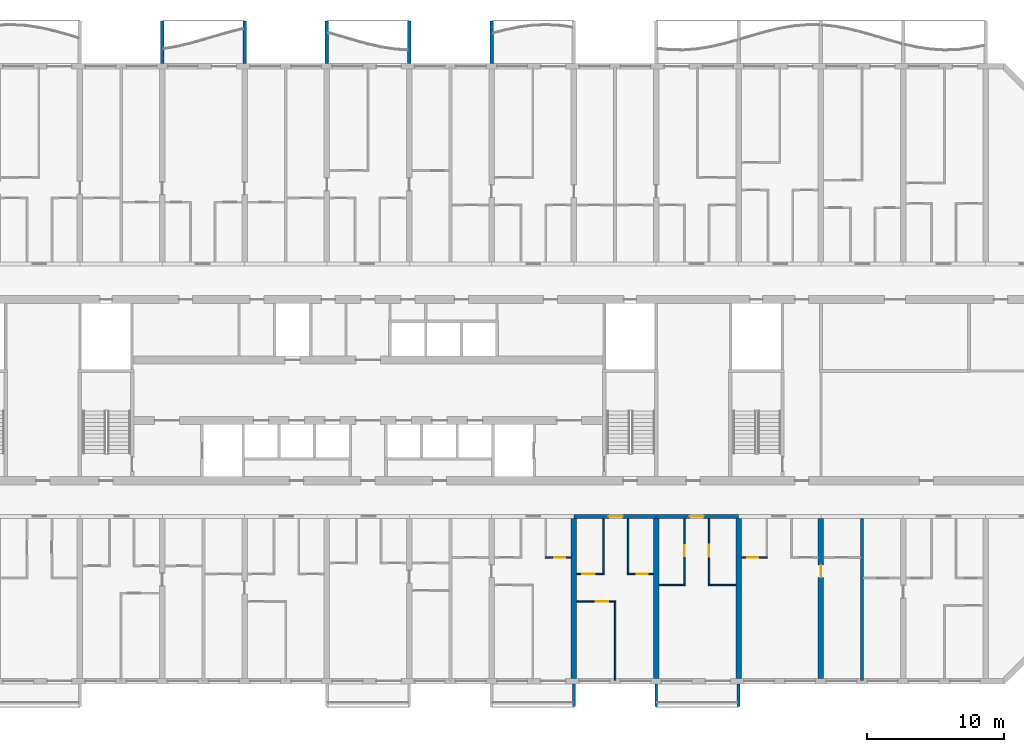
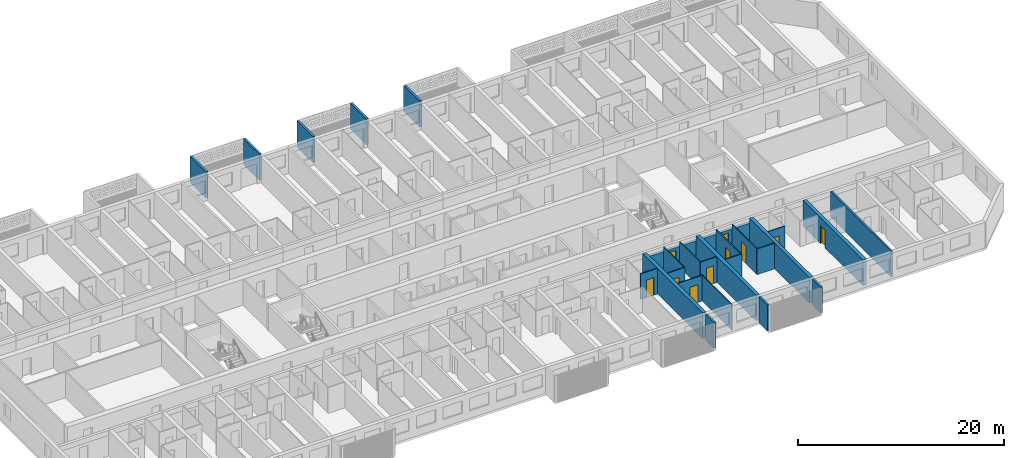
# One storey, part 14 of 40: 27 walls, 10 doors, 10 openings.
"""IFC4 building model written with IfcOpenShell, lengths in metres."""

from ifc_helpers import new_model, si_unit, direction, frame, frame_2d, origin, place, context, subcontext, project, spatial, polyline, rectangle, outline, extrude, source, transform, mapped, material, layer, layer_set, type_object, element, fill, save


model = new_model("IFC4")

# Units and contexts
model_context = context("Model", 3, precision=1e-05, world=origin(), true_north=direction((0.0, 1.0)))
body_context = subcontext(model_context, "Body", "Model", "MODEL_VIEW")
ifc_project = project(units=[si_unit("LENGTHUNIT", "METRE"), si_unit("AREAUNIT", "SQUARE_METRE"), si_unit("VOLUMEUNIT", "CUBIC_METRE"), si_unit("PLANEANGLEUNIT", "RADIAN"), si_unit("MASSUNIT", "GRAM", prefix="KILO")], contexts=[model_context])

# Site, building, storey
site_placement = place(None, origin())
site = spatial("IfcSite", under=ifc_project, at=site_placement, CompositionType="ELEMENT")
building_placement = place(site_placement, origin())
building = spatial("IfcBuilding", under=site, at=building_placement, Name="Poui Terraces", CompositionType="ELEMENT")
storey_placement = place(building_placement, frame((0.0, 0.0, 39.89990234375)))
storey = spatial("IfcBuildingStorey", under=building, at=storey_placement, Name="L10", CompositionType="ELEMENT", Elevation=39.89990234375)

# Wall, opening, door
ifc_material_1 = material(Name="Concrete 80 MPa", Category="concrete")
ifc_layer_1 = layer(ifc_material_1, 0.300048828125)
ifc_layer_set_1 = layer_set([ifc_layer_1], Name="Concrete 80 MPa")
wall_type_1 = type_object("IfcWallType", Name="CORRIDOR WALL 300 80MPa", PredefinedType="SHEAR", material=ifc_layer_set_1)
wall_1_placement = place(storey_placement, frame((66.0, 12.0, 0.0), z_axis=(0.0, 0.0, 1.0), x_axis=(1.0, 0.0, 0.0)))
wall_1 = element("IfcWall", 1, at=wall_1_placement, inside=storey, type_object=wall_type_1, Name="CORRIDOR WALL LINE B BAY 12", PredefinedType="SHEAR", context=body_context, shape_type="SweptSolid", body=[
    extrude(rectangle(XDim=6.0, YDim=0.300048828125, at=frame_2d((3.0, 0.0))), origin(), (0.0, 0.0, 1.0), 2.4501953125),
])
opening_1_placement = place(wall_1_placement, frame((2.550048828125, 0.0, 0.0)))
opening_1 = element("IfcOpeningElement", 2, at=opening_1_placement, cuts=wall_1, Name="Opening FD30S", PredefinedType="OPENING", context=body_context, shape_type="SweptSolid", body=[
    extrude(rectangle(XDim=1.0, YDim=2.10009765625, at=frame_2d((0.5, 1.050048828125))), frame((0.0, 0.16015625, 0.0), z_axis=(0.0, -1.0, 0.0), x_axis=(1.0, 0.0, 0.0)), (0.0, 0.0, 1.0), 0.320068359375),
])
ifc_material_2 = material(Name="Steel fire door", Category="steel")
door_type_1 = type_object("IfcDoorType", Name="FLAT ENTRANCE DOOR 1000 X 2100", OperationType="NOTDEFINED", PredefinedType="DOOR", material=ifc_material_2)
door_1_placement = place(opening_1_placement, frame((1.0, 0.0, 0.0), z_axis=(0.0, 0.0, 1.0), x_axis=(-1.0, 0.0, 0.0)))
door_1 = element("IfcDoor", 3, at=door_1_placement, inside=storey, type_object=door_type_1, Name="FLAT ENTRANCE DOOR 132", OperationType="SINGLE_SWING_LEFT", OverallHeight=2.10009765625, OverallWidth=1.0, PredefinedType="DOOR", context=body_context, shape_type="SweptSolid", body=[
    extrude(rectangle(XDim=1.0, YDim=2.10009765625, at=frame_2d((0.5, 1.050048828125))), frame((0.0, 0.02490234375, 0.0), z_axis=(0.0, -1.0, 0.0), x_axis=(1.0, 0.0, 0.0)), (0.0, 0.0, 1.0), 0.050048828125),
])
fill(opening_1, door_1)

wall_2_placement = place(storey_placement, frame((72.0, 12.0, 0.0), z_axis=(0.0, 0.0, 1.0), x_axis=(1.0, 0.0, 0.0)))
wall_2 = element("IfcWall", 4, at=wall_2_placement, inside=storey, type_object=wall_type_1, Name="CORRIDOR WALL LINE B BAY 13", PredefinedType="SHEAR", context=body_context, shape_type="SweptSolid", body=[
    extrude(rectangle(XDim=6.0, YDim=0.300048828125, at=frame_2d((3.0, 0.0))), origin(), (0.0, 0.0, 1.0), 2.4501953125),
])
opening_2_placement = place(wall_2_placement, frame((2.449951171875, 0.0, 0.0)))
opening_2 = element("IfcOpeningElement", 5, at=opening_2_placement, cuts=wall_2, Name="Opening FD30S", PredefinedType="OPENING", context=body_context, shape_type="SweptSolid", body=[
    extrude(rectangle(XDim=1.0, YDim=2.10009765625, at=frame_2d((0.5, 1.050048828125))), frame((0.0, 0.16015625, 0.0), z_axis=(0.0, -1.0, 0.0), x_axis=(1.0, 0.0, 0.0)), (0.0, 0.0, 1.0), 0.320068359375),
])
door_2_placement = place(opening_2_placement, frame((1.0, 0.0, 0.0), z_axis=(0.0, 0.0, 1.0), x_axis=(-1.0, 0.0, 0.0)))
door_2 = element("IfcDoor", 6, at=door_2_placement, inside=storey, type_object=door_type_1, Name="FLAT ENTRANCE DOOR 135", OperationType="SINGLE_SWING_RIGHT", OverallHeight=2.10009765625, OverallWidth=1.0, PredefinedType="DOOR", context=body_context, shape_type="SweptSolid", body=[
    extrude(rectangle(XDim=1.0, YDim=2.10009765625, at=frame_2d((0.5, 1.050048828125))), frame((0.0, 0.02490234375, 0.0), z_axis=(0.0, -1.0, 0.0), x_axis=(1.0, 0.0, 0.0)), (0.0, 0.0, 1.0), 0.050048828125),
])
fill(opening_2, door_2)

# Walls
ifc_layer_2 = layer(ifc_material_1, 0.39990234375)
ifc_layer_set_2 = layer_set([ifc_layer_2], Name="Concrete 80 MPa")
wall_type_2 = type_object("IfcWallType", Name="CROSS WALL 400 80MPa", PredefinedType="SHEAR", material=ifc_layer_set_2)
for number, where, z_axis, x_axis, name in (
    (7, (66.0, 0.199951171875, 0.0), (0.0, 0.0, 1.0), (0.0, 1.0, 0.0), "CROSS WALL LINE 12 SOUTH"),
    (8, (72.0, 0.199951171875, 0.0), (0.0, 0.0, 1.0), (0.0, 1.0, 0.0), "CROSS WALL LINE 13 SOUTH"),
    (9, (78.0, 0.199951171875, 0.0), (0.0, 0.0, 1.0), (0.0, 1.0, 0.0), "CROSS WALL LINE 14 SOUTH"),
):
    element("IfcWall", number, at=place(storey_placement, frame(where, z_axis=z_axis, x_axis=x_axis)), inside=storey, type_object=wall_type_2, Name=name, PredefinedType="SHEAR", context=body_context, shape_type="SweptSolid", body=[
        extrude(rectangle(XDim=11.650146484375, YDim=0.39990234375, at=frame_2d((5.8251953125, 0.0))), origin(), (0.0, 0.0, 1.0), 3.050048828125),
    ])

# Wall, opening, door
wall_3_placement = place(storey_placement, frame((84.0, 0.199951171875, 0.0), z_axis=(0.0, 0.0, 1.0), x_axis=(0.0, 1.0, 0.0)))
wall_3 = element("IfcWall", 10, at=wall_3_placement, inside=storey, type_object=wall_type_2, Name="CROSS WALL LINE 15 SOUTH", PredefinedType="SHEAR", context=body_context, shape_type="SweptSolid", body=[
    extrude(rectangle(XDim=11.650146484375, YDim=0.39990234375, at=frame_2d((5.8251953125, 0.0))), origin(), (0.0, 0.0, 1.0), 3.050048828125),
])
opening_3_placement = place(wall_3_placement, frame((7.35009765625, 0.0, 0.0)))
opening_3 = element("IfcOpeningElement", 11, at=opening_3_placement, cuts=wall_3, Name="Opening D90", PredefinedType="OPENING", context=body_context, shape_type="SweptSolid", body=[
    extrude(rectangle(XDim=0.89990234375, YDim=2.10009765625, at=frame_2d((0.449951171875, 1.050048828125))), frame((0.0, 0.2099609375, 0.0), z_axis=(0.0, -1.0, 0.0), x_axis=(1.0, 0.0, 0.0)), (0.0, 0.0, 1.0), 0.419921875),
])
ifc_material_3 = material(Name="Solid core timber door", Category="wood")
door_type_2 = type_object("IfcDoorType", Name="INTERNAL DOOR 900 X 2100", OperationType="NOTDEFINED", PredefinedType="DOOR", material=ifc_material_3)
door_3_placement = place(opening_3_placement, frame((0.89990234375, 0.0, 0.0), z_axis=(0.0, 0.0, 1.0), x_axis=(-1.0, 0.0, 0.0)))
door_3 = element("IfcDoor", 12, at=door_3_placement, inside=storey, type_object=door_type_2, Name="INTERNAL DOOR 141", OperationType="SINGLE_SWING_LEFT", OverallHeight=2.10009765625, OverallWidth=0.89990234375, PredefinedType="DOOR", context=body_context, shape_type="SweptSolid", body=[
    extrude(rectangle(XDim=0.89990234375, YDim=2.10009765625, at=frame_2d((0.449951171875, 1.050048828125))), frame((0.0, 0.02490234375, 0.0), z_axis=(0.0, -1.0, 0.0), x_axis=(1.0, 0.0, 0.0)), (0.0, 0.0, 1.0), 0.050048828125),
])
fill(opening_3, door_3)

ifc_material_4 = material(Name="Plasterboard partition")
ifc_layer_3 = layer(ifc_material_4, 0.10009765625)
ifc_layer_set_3 = layer_set([ifc_layer_3], Name="Plasterboard partition")
wall_type_3 = type_object("IfcWallType", Name="FLAT PARTITION 100", PredefinedType="PARTITIONING", material=ifc_layer_set_3)
wall_4_placement = place(storey_placement, frame((66.2099609375, 5.800048828125, 0.0), z_axis=(0.0, 0.0, 1.0), x_axis=(1.0, 0.0, 0.0)))
wall_4 = element("IfcWall", 13, at=wall_4_placement, inside=storey, type_object=wall_type_3, Name="FLAT PARTITION 100", PredefinedType="PARTITIONING", context=body_context, shape_type="SweptSolid", body=[
    extrude(rectangle(XDim=2.840087890625, YDim=0.10009765625, at=frame_2d((1.419921875, 0.0))), origin(), (0.0, 0.0, 1.0), 3.050048828125),
])
opening_4_placement = place(wall_4_placement, frame((1.389892578125, 0.0, 0.0)))
opening_4 = element("IfcOpeningElement", 14, at=opening_4_placement, cuts=wall_4, Name="Opening D90", PredefinedType="OPENING", context=body_context, shape_type="SweptSolid", body=[
    extrude(rectangle(XDim=0.89990234375, YDim=2.10009765625, at=frame_2d((0.449951171875, 1.050048828125))), frame((0.0, 0.06005859375, 0.0), z_axis=(0.0, -1.0, 0.0), x_axis=(1.0, 0.0, 0.0)), (0.0, 0.0, 1.0), 0.1201171875),
])
door_4_placement = place(opening_4_placement, origin())
door_4 = element("IfcDoor", 15, at=door_4_placement, inside=storey, type_object=door_type_2, Name="INTERNAL DOOR 131", OperationType="SINGLE_SWING_LEFT", OverallHeight=2.10009765625, OverallWidth=0.89990234375, PredefinedType="DOOR", context=body_context, shape_type="SweptSolid", body=[
    extrude(rectangle(XDim=0.89990234375, YDim=2.10009765625, at=frame_2d((0.449951171875, 1.050048828125))), frame((0.0, 0.02490234375, 0.0), z_axis=(0.0, -1.0, 0.0), x_axis=(1.0, 0.0, 0.0)), (0.0, 0.0, 1.0), 0.050048828125),
])
fill(opening_4, door_4)

# Walls
wall_5_placement = place(storey_placement, frame((72.2099609375, 7.0, 0.0), z_axis=(0.0, 0.0, 1.0), x_axis=(1.0, 0.0, 0.0)))
element("IfcWall", 16, at=wall_5_placement, inside=storey, type_object=wall_type_3, Name="FLAT PARTITION 100", PredefinedType="PARTITIONING", context=body_context, shape_type="SweptSolid", body=[
    extrude(rectangle(XDim=1.89013671875, YDim=0.10009765625, at=frame_2d((0.945068359375, 0.0))), origin(), (0.0, 0.0, 1.0), 3.050048828125),
])
wall_6_placement = place(storey_placement, frame((75.800048828125, 7.0, 0.0), z_axis=(0.0, 0.0, 1.0), x_axis=(1.0, 0.0, 0.0)))
element("IfcWall", 17, at=wall_6_placement, inside=storey, type_object=wall_type_3, Name="FLAT PARTITION 100", PredefinedType="PARTITIONING", context=body_context, shape_type="SweptSolid", body=[
    extrude(rectangle(XDim=1.989990234375, YDim=0.10009765625, at=frame_2d((0.9951171875, 0.0))), origin(), (0.0, 0.0, 1.0), 3.050048828125),
])

# Wall, opening, door
wall_7_placement = place(storey_placement, frame((66.2099609375, 7.800048828125, 0.0), z_axis=(0.0, 0.0, 1.0), x_axis=(1.0, 0.0, 0.0)))
wall_7 = element("IfcWall", 18, at=wall_7_placement, inside=storey, type_object=wall_type_3, Name="FLAT PARTITION 100", PredefinedType="PARTITIONING", context=body_context, shape_type="SweptSolid", body=[
    extrude(rectangle(XDim=1.989990234375, YDim=0.10009765625, at=frame_2d((0.9951171875, 0.0))), origin(), (0.0, 0.0, 1.0), 3.050048828125),
])
opening_5_placement = place(wall_7_placement, frame((0.4150390625, 0.0, 0.0)))
opening_5 = element("IfcOpeningElement", 19, at=opening_5_placement, cuts=wall_7, Name="Opening D90", PredefinedType="OPENING", context=body_context, shape_type="SweptSolid", body=[
    extrude(rectangle(XDim=0.89990234375, YDim=2.10009765625, at=frame_2d((0.449951171875, 1.050048828125))), frame((0.0, 0.06005859375, 0.0), z_axis=(0.0, -1.0, 0.0), x_axis=(1.0, 0.0, 0.0)), (0.0, 0.0, 1.0), 0.1201171875),
])
door_5_placement = place(opening_5_placement, origin())
door_5 = element("IfcDoor", 20, at=door_5_placement, inside=storey, type_object=door_type_2, Name="INTERNAL DOOR 130", OperationType="SINGLE_SWING_RIGHT", OverallHeight=2.10009765625, OverallWidth=0.89990234375, PredefinedType="DOOR", context=body_context, shape_type="SweptSolid", body=[
    extrude(rectangle(XDim=0.89990234375, YDim=2.10009765625, at=frame_2d((0.449951171875, 1.050048828125))), frame((0.0, 0.02490234375, 0.0), z_axis=(0.0, -1.0, 0.0), x_axis=(1.0, 0.0, 0.0)), (0.0, 0.0, 1.0), 0.050048828125),
])
fill(opening_5, door_5)

wall_8_placement = place(storey_placement, frame((69.89990234375, 7.800048828125, 0.0), z_axis=(0.0, 0.0, 1.0), x_axis=(1.0, 0.0, 0.0)))
wall_8 = element("IfcWall", 21, at=wall_8_placement, inside=storey, type_object=wall_type_3, Name="FLAT PARTITION 100", PredefinedType="PARTITIONING", context=body_context, shape_type="SweptSolid", body=[
    extrude(rectangle(XDim=1.89013671875, YDim=0.10009765625, at=frame_2d((0.945068359375, 0.0))), origin(), (0.0, 0.0, 1.0), 3.050048828125),
])
opening_6_placement = place(wall_8_placement, frame((0.675048828125, 0.0, 0.0)))
opening_6 = element("IfcOpeningElement", 22, at=opening_6_placement, cuts=wall_8, Name="Opening D80", PredefinedType="OPENING", context=body_context, shape_type="SweptSolid", body=[
    extrude(rectangle(XDim=0.800048828125, YDim=2.10009765625, at=frame_2d((0.39990234375, 1.050048828125))), frame((0.0, 0.06005859375, 0.0), z_axis=(0.0, -1.0, 0.0), x_axis=(1.0, 0.0, 0.0)), (0.0, 0.0, 1.0), 0.1201171875),
])
door_type_3 = type_object("IfcDoorType", Name="BATHROOM, LAUNDRY AND STORE DOOR 800 X 2100", OperationType="NOTDEFINED", PredefinedType="DOOR", material=ifc_material_3)
door_6_placement = place(opening_6_placement, origin())
door_6 = element("IfcDoor", 23, at=door_6_placement, inside=storey, type_object=door_type_3, Name="BATHROOM, LAUNDRY AND STORE DOOR 133", OperationType="SINGLE_SWING_LEFT", OverallHeight=2.10009765625, OverallWidth=0.800048828125, PredefinedType="DOOR", context=body_context, shape_type="SweptSolid", body=[
    extrude(rectangle(XDim=0.800048828125, YDim=2.10009765625, at=frame_2d((0.39990234375, 1.050048828125))), frame((0.0, 0.02490234375, 0.0), z_axis=(0.0, -1.0, 0.0), x_axis=(1.0, 0.0, 0.0)), (0.0, 0.0, 1.0), 0.050048828125),
])
fill(opening_6, door_6)

wall_9_placement = place(storey_placement, frame((63.89990234375, 9.0, 0.0), z_axis=(0.0, 0.0, 1.0), x_axis=(1.0, 0.0, 0.0)))
wall_9 = element("IfcWall", 24, at=wall_9_placement, inside=storey, type_object=wall_type_3, Name="FLAT PARTITION 100", PredefinedType="PARTITIONING", context=body_context, shape_type="SweptSolid", body=[
    extrude(rectangle(XDim=1.89013671875, YDim=0.10009765625, at=frame_2d((0.945068359375, 0.0))), origin(), (0.0, 0.0, 1.0), 3.050048828125),
])
opening_7_placement = place(wall_9_placement, frame((0.675048828125, 0.0, 0.0)))
opening_7 = element("IfcOpeningElement", 25, at=opening_7_placement, cuts=wall_9, Name="Opening D80", PredefinedType="OPENING", context=body_context, shape_type="SweptSolid", body=[
    extrude(rectangle(XDim=0.800048828125, YDim=2.10009765625, at=frame_2d((0.39990234375, 1.050048828125))), frame((0.0, 0.06005859375, 0.0), z_axis=(0.0, -1.0, 0.0), x_axis=(1.0, 0.0, 0.0)), (0.0, 0.0, 1.0), 0.1201171875),
])
door_7_placement = place(opening_7_placement, origin())
door_7 = element("IfcDoor", 26, at=door_7_placement, inside=storey, type_object=door_type_3, Name="BATHROOM, LAUNDRY AND STORE DOOR 129", OperationType="SINGLE_SWING_RIGHT", OverallHeight=2.10009765625, OverallWidth=0.800048828125, PredefinedType="DOOR", context=body_context, shape_type="SweptSolid", body=[
    extrude(rectangle(XDim=0.800048828125, YDim=2.10009765625, at=frame_2d((0.39990234375, 1.050048828125))), frame((0.0, 0.02490234375, 0.0), z_axis=(0.0, -1.0, 0.0), x_axis=(1.0, 0.0, 0.0)), (0.0, 0.0, 1.0), 0.050048828125),
])
fill(opening_7, door_7)

wall_10_placement = place(storey_placement, frame((78.2099609375, 9.0, 0.0), z_axis=(0.0, 0.0, 1.0), x_axis=(1.0, 0.0, 0.0)))
wall_10 = element("IfcWall", 27, at=wall_10_placement, inside=storey, type_object=wall_type_3, Name="FLAT PARTITION 100", PredefinedType="PARTITIONING", context=body_context, shape_type="SweptSolid", body=[
    extrude(rectangle(XDim=1.89013671875, YDim=0.10009765625, at=frame_2d((0.945068359375, 0.0))), origin(), (0.0, 0.0, 1.0), 3.050048828125),
])
opening_8_placement = place(wall_10_placement, frame((0.4150390625, 0.0, 0.0)))
opening_8 = element("IfcOpeningElement", 28, at=opening_8_placement, cuts=wall_10, Name="Opening D80", PredefinedType="OPENING", context=body_context, shape_type="SweptSolid", body=[
    extrude(rectangle(XDim=0.800048828125, YDim=2.10009765625, at=frame_2d((0.39990234375, 1.050048828125))), frame((0.0, 0.06005859375, 0.0), z_axis=(0.0, -1.0, 0.0), x_axis=(1.0, 0.0, 0.0)), (0.0, 0.0, 1.0), 0.1201171875),
])
door_8_placement = place(opening_8_placement, origin())
door_8 = element("IfcDoor", 29, at=door_8_placement, inside=storey, type_object=door_type_3, Name="BATHROOM, LAUNDRY AND STORE DOOR 138", OperationType="SINGLE_SWING_LEFT", OverallHeight=2.10009765625, OverallWidth=0.800048828125, PredefinedType="DOOR", context=body_context, shape_type="SweptSolid", body=[
    extrude(rectangle(XDim=0.800048828125, YDim=2.10009765625, at=frame_2d((0.39990234375, 1.050048828125))), frame((0.0, 0.02490234375, 0.0), z_axis=(0.0, -1.0, 0.0), x_axis=(1.0, 0.0, 0.0)), (0.0, 0.0, 1.0), 0.050048828125),
])
fill(opening_8, door_8)

# Walls
wall_11_placement = place(storey_placement, frame((68.14990234375, 7.85009765625, 0.0), z_axis=(0.0, 0.0, 1.0), x_axis=(0.0, 1.0, 0.0)))
element("IfcWall", 30, at=wall_11_placement, inside=storey, type_object=wall_type_3, Name="FLAT PARTITION 100", PredefinedType="PARTITIONING", context=body_context, shape_type="SweptSolid", body=[
    extrude(rectangle(XDim=3.989990234375, YDim=0.10009765625, at=frame_2d((1.9951171875, 0.0))), origin(), (0.0, 0.0, 1.0), 3.050048828125),
])
wall_12_placement = place(storey_placement, frame((69.0, 0.06005859375, 0.0), z_axis=(0.0, 0.0, 1.0), x_axis=(0.0, 1.0, 0.0)))
element("IfcWall", 31, at=wall_12_placement, inside=storey, type_object=wall_type_3, Name="FLAT PARTITION 100", PredefinedType="PARTITIONING", context=body_context, shape_type="SweptSolid", body=[
    extrude(rectangle(XDim=5.68994140625, YDim=0.10009765625, at=frame_2d((2.844970703125, 0.0))), origin(), (0.0, 0.0, 1.0), 3.050048828125),
])
wall_13_placement = place(storey_placement, frame((69.949951171875, 7.85009765625, 0.0), z_axis=(0.0, 0.0, 1.0), x_axis=(0.0, 1.0, 0.0)))
element("IfcWall", 32, at=wall_13_placement, inside=storey, type_object=wall_type_3, Name="FLAT PARTITION 100", PredefinedType="PARTITIONING", context=body_context, shape_type="SweptSolid", body=[
    extrude(rectangle(XDim=3.989990234375, YDim=0.10009765625, at=frame_2d((1.9951171875, 0.0))), origin(), (0.0, 0.0, 1.0), 3.050048828125),
])

# Wall, opening, door
wall_14_placement = place(storey_placement, frame((74.050048828125, 7.050048828125, 0.0), z_axis=(0.0, 0.0, 1.0), x_axis=(0.0, 1.0, 0.0)))
wall_14 = element("IfcWall", 33, at=wall_14_placement, inside=storey, type_object=wall_type_3, Name="FLAT PARTITION 100", PredefinedType="PARTITIONING", context=body_context, shape_type="SweptSolid", body=[
    extrude(rectangle(XDim=4.7900390625, YDim=0.10009765625, at=frame_2d((2.39501953125, 0.0))), origin(), (0.0, 0.0, 1.0), 3.050048828125),
])
opening_9_placement = place(wall_14_placement, frame((2.050048828125, 0.0, 0.0)))
opening_9 = element("IfcOpeningElement", 34, at=opening_9_placement, cuts=wall_14, Name="Opening D80", PredefinedType="OPENING", context=body_context, shape_type="SweptSolid", body=[
    extrude(rectangle(XDim=0.800048828125, YDim=2.10009765625, at=frame_2d((0.39990234375, 1.050048828125))), frame((0.0, 0.06005859375, 0.0), z_axis=(0.0, -1.0, 0.0), x_axis=(1.0, 0.0, 0.0)), (0.0, 0.0, 1.0), 0.1201171875),
])
door_9_placement = place(opening_9_placement, origin())
door_9 = element("IfcDoor", 35, at=door_9_placement, inside=storey, type_object=door_type_3, Name="BATHROOM, LAUNDRY AND STORE DOOR 134", OperationType="SINGLE_SWING_RIGHT", OverallHeight=2.10009765625, OverallWidth=0.800048828125, PredefinedType="DOOR", context=body_context, shape_type="SweptSolid", body=[
    extrude(rectangle(XDim=0.800048828125, YDim=2.10009765625, at=frame_2d((0.39990234375, 1.050048828125))), frame((0.0, 0.02490234375, 0.0), z_axis=(0.0, -1.0, 0.0), x_axis=(1.0, 0.0, 0.0)), (0.0, 0.0, 1.0), 0.050048828125),
])
fill(opening_9, door_9)

wall_15_placement = place(storey_placement, frame((75.85009765625, 7.050048828125, 0.0), z_axis=(0.0, 0.0, 1.0), x_axis=(0.0, 1.0, 0.0)))
wall_15 = element("IfcWall", 36, at=wall_15_placement, inside=storey, type_object=wall_type_3, Name="FLAT PARTITION 100", PredefinedType="PARTITIONING", context=body_context, shape_type="SweptSolid", body=[
    extrude(rectangle(XDim=4.7900390625, YDim=0.10009765625, at=frame_2d((2.39501953125, 0.0))), origin(), (0.0, 0.0, 1.0), 3.050048828125),
])
opening_10_placement = place(wall_15_placement, frame((2.0, 0.0, 0.0)))
opening_10 = element("IfcOpeningElement", 37, at=opening_10_placement, cuts=wall_15, Name="Opening D90", PredefinedType="OPENING", context=body_context, shape_type="SweptSolid", body=[
    extrude(rectangle(XDim=0.89990234375, YDim=2.10009765625, at=frame_2d((0.449951171875, 1.050048828125))), frame((0.0, 0.06005859375, 0.0), z_axis=(0.0, -1.0, 0.0), x_axis=(1.0, 0.0, 0.0)), (0.0, 0.0, 1.0), 0.1201171875),
])
door_10_placement = place(opening_10_placement, frame((0.89990234375, 0.0, 0.0), z_axis=(0.0, 0.0, 1.0), x_axis=(-1.0, 0.0, 0.0)))
door_10 = element("IfcDoor", 38, at=door_10_placement, inside=storey, type_object=door_type_2, Name="INTERNAL DOOR 136", OperationType="SINGLE_SWING_RIGHT", OverallHeight=2.10009765625, OverallWidth=0.89990234375, PredefinedType="DOOR", context=body_context, shape_type="SweptSolid", body=[
    extrude(rectangle(XDim=0.89990234375, YDim=2.10009765625, at=frame_2d((0.449951171875, 1.050048828125))), frame((0.0, 0.02490234375, 0.0), z_axis=(0.0, -1.0, 0.0), x_axis=(1.0, 0.0, 0.0)), (0.0, 0.0, 1.0), 0.050048828125),
])
fill(opening_10, door_10)

# Walls
ifc_material_5 = material(Name="Fire-rated masonry wall", Category="masonry")
ifc_layer_4 = layer(ifc_material_5, 0.199951171875)
ifc_layer_set_4 = layer_set([ifc_layer_4], Name="Fire-rated masonry wall")
wall_type_4 = type_object("IfcWallType", Name="FLAT PARTY WALL 200", PredefinedType="PARTITIONING", material=ifc_layer_set_4)
wall_16_placement = place(storey_placement, frame((87.0, 0.06005859375, 0.0), z_axis=(0.0, 0.0, 1.0), x_axis=(0.0, 1.0, 0.0)))
element("IfcWall", 39, at=wall_16_placement, inside=storey, type_object=wall_type_4, Name="FLAT PARTY WALL 200", PredefinedType="PARTITIONING", context=body_context, shape_type="SweptSolid", body=[
    extrude(rectangle(XDim=11.780029296875, YDim=0.199951171875, at=frame_2d((5.89013671875, 0.0))), origin(), (0.0, 0.0, 1.0), 3.050048828125),
])
ifc_material_6 = material(Name="Precast concrete 40 MPa", Category="concrete")
ifc_layer_5 = layer(ifc_material_6, 0.199951171875)
ifc_layer_set_5 = layer_set([ifc_layer_5], Name="Precast concrete 40 MPa")
wall_type_5 = type_object("IfcWallType", Name="REAR FIN 200", PredefinedType="STANDARD", material=ifc_layer_set_5)
shared_shape_1 = source(origin(), body_context, "Body", "SweptSolid", [
    extrude(outline(polyline([(0.0, 0.0), (0.2001953125, 0.0), (0.2001953125, 1.650146484375), (0.0, 1.650146484375), (0.0, 0.0)])), origin(), (0.0, 0.0, 1.0), 3.10009765625),
])
for number, where, name in (
    (40, (65.89990234375, -1.85009765625, 0.0), "REAR FIN"),
    (41, (71.89990234375, -1.85009765625, 0.0), "REAR FIN"),
    (42, (77.89990234375, -1.85009765625, 0.0), "REAR FIN"),
):
    element("IfcWall", number, at=place(storey_placement, frame(where)), inside=storey, type_object=wall_type_5, Name=name, PredefinedType="STANDARD", context=body_context, shape_type="MappedRepresentation", body=[
        mapped(shared_shape_1, transform((0.0, 0.0, 0.0))),
    ])
ifc_layer_6 = layer(ifc_material_6, 0.25)
ifc_layer_set_6 = layer_set([ifc_layer_6], Name="Precast concrete 40 MPa")
wall_type_6 = type_object("IfcWallType", Name="BALCONY FIN 250", PredefinedType="STANDARD", material=ifc_layer_set_6)
shared_shape_2 = source(origin(), body_context, "Body", "SweptSolid", [
    extrude(outline(polyline([(0.0, 0.0), (0.25, 0.0), (0.25, 3.10009765625), (0.0, 3.10009765625), (0.0, 0.0)])), origin(), (0.0, 0.0, 1.0), 3.10009765625),
])
for number, where, name in (
    (43, (35.875, 45.0, 0.0), "BALCONY FIN"),
    (44, (41.875, 45.0, 0.0), "BALCONY FIN"),
    (45, (47.875, 45.0, 0.0), "BALCONY FIN"),
    (46, (53.875, 45.0, 0.0), "BALCONY FIN"),
    (47, (59.875, 45.0, 0.0), "BALCONY FIN"),
):
    element("IfcWall", number, at=place(storey_placement, frame(where)), inside=storey, type_object=wall_type_6, Name=name, PredefinedType="STANDARD", context=body_context, shape_type="MappedRepresentation", body=[
        mapped(shared_shape_2, transform((0.0, 0.0, 0.0))),
    ])

save(model, "model.ifc")
